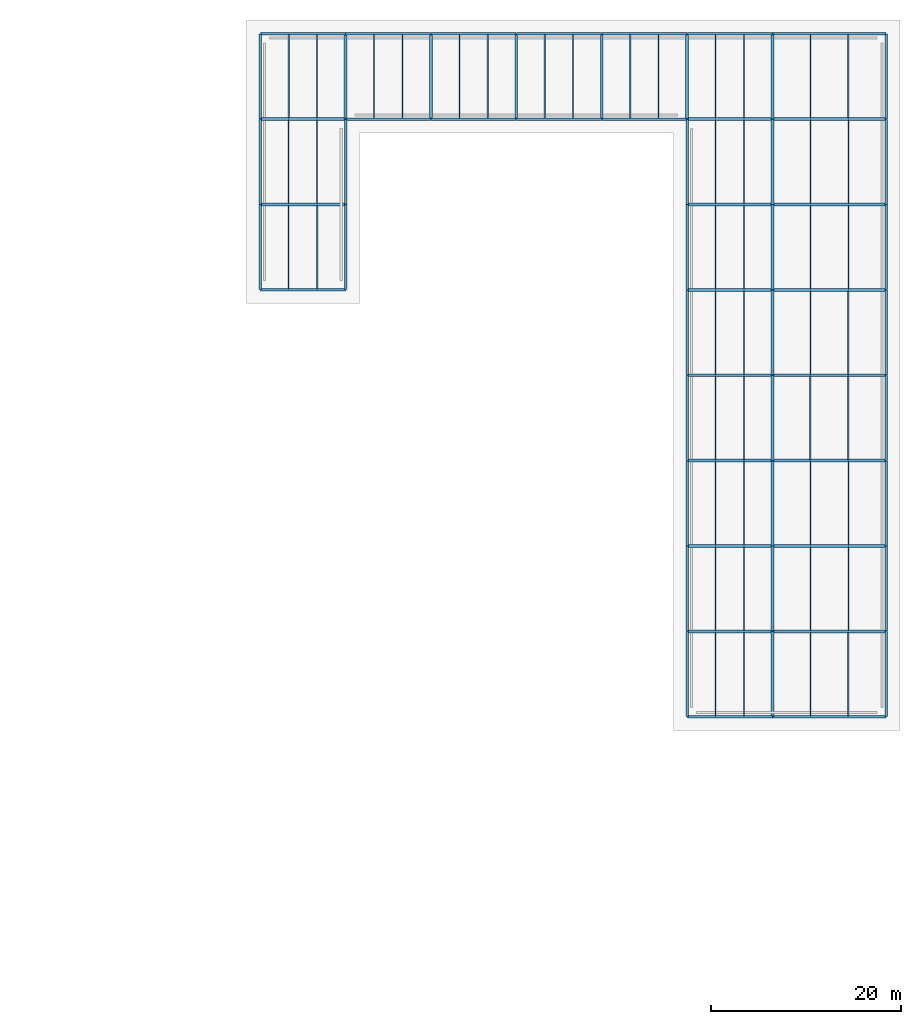
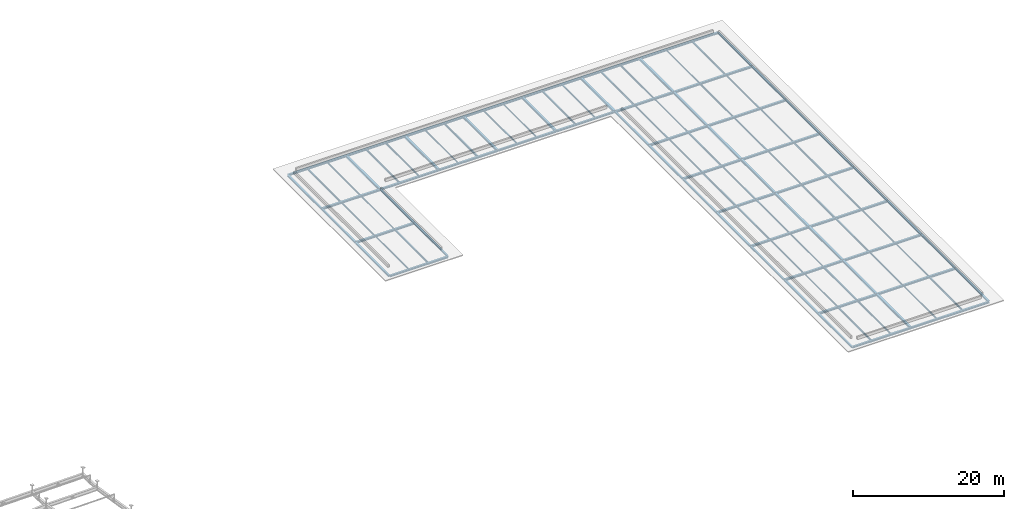
# One storey, part 65 of 80: 109 beams.
"""IFC4 building model written with IfcOpenShell, lengths in metres."""

from ifc_helpers import new_model, si_unit, direction, frame, origin, origin_2d, place, context, subcontext, project, spatial, i_section, extrude, material, material_profile, profile_set, type_object, element, save


model = new_model("IFC4")

# Units and contexts
model_context = context("Model", 3, precision=1e-05, world=origin(), true_north=direction((0.0, 1.0)))
body_context = subcontext(model_context, "Body", "Model", "MODEL_VIEW")
ifc_project = project(units=[si_unit("LENGTHUNIT", "METRE"), si_unit("AREAUNIT", "SQUARE_METRE"), si_unit("VOLUMEUNIT", "CUBIC_METRE"), si_unit("PLANEANGLEUNIT", "RADIAN"), si_unit("MASSUNIT", "GRAM", prefix="KILO")], contexts=[model_context])

# Site, building, storey
site_placement = place(None, origin())
site = spatial("IfcSite", under=ifc_project, at=site_placement, CompositionType="ELEMENT")
building_placement = place(site_placement, origin())
building = spatial("IfcBuilding", under=site, at=building_placement, Name="Barlavento Convention Centre", CompositionType="ELEMENT")
storey_placement = place(building_placement, frame((0.0, 0.0, 29.800048828125)))
storey = spatial("IfcBuildingStorey", under=building, at=storey_placement, Name="RF", CompositionType="ELEMENT", Elevation=29.800048828125)

# Beams
ifc_material = material(Name="Steel S355", Category="steel")
ifc_material_profile_1 = material_profile(ifc_material, i_section(OverallWidth=0.110107421875, OverallDepth=0.219970703125, WebThickness=0.005859375, FlangeThickness=0.00927734375, FilletRadius=0.011962890625, at=origin_2d()), Name="IPE 220")
ifc_profile_set_1 = profile_set([ifc_material_profile_1], Name="Steel S355")
beam_type_1 = type_object("IfcBeamType", Name="STR-BM-JST-IPE220", PredefinedType="JOIST", material=ifc_profile_set_1)
for number, where, z_axis, x_axis, name in (
    (1, (184.0, 27.094970703125, -0.47509765625), (0.0, 1.0, 0.0), (-1.0, 0.0, 0.0), "RF composite floor joist SJ10"),
    (2, (174.0, 36.094970703125, -0.47509765625), (0.0, 1.0, 0.0), (-1.0, 0.0, 0.0), "RF composite floor joist SJ10"),
    (3, (188.0, 36.094970703125, -0.47509765625), (0.0, 1.0, 0.0), (-1.0, 0.0, 0.0), "RF composite floor joist SJ10"),
    (4, (177.0, 45.094970703125, -0.47509765625), (0.0, 1.0, 0.0), (-1.0, 0.0, 0.0), "RF composite floor joist SJ10"),
    (5, (184.0, 63.094970703125, -0.47509765625), (0.0, 1.0, 0.0), (-1.0, 0.0, 0.0), "RF composite floor joist SJ10"),
    (6, (129.0, 72.094970703125, -0.47509765625), (0.0, 1.0, 0.0), (-1.0, 0.0, 0.0), "RF composite floor joist SJ10"),
    (7, (174.0, 72.094970703125, -0.47509765625), (0.0, 1.0, 0.0), (-1.0, 0.0, 0.0), "RF composite floor joist SJ10"),
    (8, (188.0, 72.094970703125, -0.47509765625), (0.0, 1.0, 0.0), (-1.0, 0.0, 0.0), "RF composite floor joist SJ10"),
    (9, (132.0, 81.094970703125, -0.47509765625), (0.0, 1.0, 0.0), (-1.0, 0.0, 0.0), "RF composite floor joist SJ10"),
    (10, (177.0, 81.094970703125, -0.47509765625), (0.0, 1.0, 0.0), (-1.0, 0.0, 0.0), "RF composite floor joist SJ10"),
    (11, (147.0, 90.094970703125, -0.47509765625), (0.0, 1.0, 0.0), (-1.0, 0.0, 0.0), "RF composite floor joist SJ10"),
    (12, (159.0, 90.094970703125, -0.47509765625), (0.0, 1.0, 0.0), (-1.0, 0.0, 0.0), "RF composite floor joist SJ10"),
    (13, (184.0, 90.094970703125, -0.47509765625), (0.0, 1.0, 0.0), (-1.0, 0.0, 0.0), "RF composite floor joist SJ10"),
):
    element("IfcBeam", number, at=place(storey_placement, frame(where, z_axis=z_axis, x_axis=x_axis)), inside=storey, type_object=beam_type_1, Name=name, PredefinedType="JOIST", context=body_context, shape_type="SweptSolid", body=[
        extrude(i_section(OverallWidth=0.110107421875, OverallDepth=0.219970703125, WebThickness=0.005859375, FlangeThickness=0.00927734375, FilletRadius=0.011962890625, at=origin_2d()), origin(), (0.0, 0.0, 1.0), 8.81005859375),
    ])
ifc_material_profile_2 = material_profile(ifc_material, i_section(OverallWidth=0.1201171875, OverallDepth=0.239990234375, WebThickness=0.006103515625, FlangeThickness=0.009765625, FilletRadius=0.014892578125, at=origin_2d()), Name="IPE 240")
ifc_profile_set_2 = profile_set([ifc_material_profile_2], Name="Steel S355")
beam_type_2 = type_object("IfcBeamType", Name="STR-BM-JST-IPE240", PredefinedType="JOIST", material=ifc_profile_set_2)
for number, where, z_axis, x_axis, name in (
    (14, (184.0, 36.094970703125, -0.485107421875), (0.0, 1.0, 0.0), (-1.0, 0.0, 0.0), "RF composite floor joist SJ09"),
    (15, (174.0, 45.094970703125, -0.485107421875), (0.0, 1.0, 0.0), (-1.0, 0.0, 0.0), "RF composite floor joist SJ09"),
    (16, (188.0, 45.094970703125, -0.485107421875), (0.0, 1.0, 0.0), (-1.0, 0.0, 0.0), "RF composite floor joist SJ09"),
    (17, (177.0, 54.094970703125, -0.485107421875), (0.0, 1.0, 0.0), (-1.0, 0.0, 0.0), "RF composite floor joist SJ09"),
    (18, (184.0, 72.094970703125, -0.485107421875), (0.0, 1.0, 0.0), (-1.0, 0.0, 0.0), "RF composite floor joist SJ09"),
    (19, (129.0, 81.094970703125, -0.485107421875), (0.0, 1.0, 0.0), (-1.0, 0.0, 0.0), "RF composite floor joist SJ09"),
    (20, (174.0, 81.094970703125, -0.485107421875), (0.0, 1.0, 0.0), (-1.0, 0.0, 0.0), "RF composite floor joist SJ09"),
    (21, (188.0, 81.094970703125, -0.485107421875), (0.0, 1.0, 0.0), (-1.0, 0.0, 0.0), "RF composite floor joist SJ09"),
    (22, (132.0, 90.094970703125, -0.485107421875), (0.0, 1.0, 0.0), (-1.0, 0.0, 0.0), "RF composite floor joist SJ09"),
    (23, (156.0, 90.094970703125, -0.485107421875), (0.0, 1.0, 0.0), (-1.0, 0.0, 0.0), "RF composite floor joist SJ09"),
    (24, (168.0, 90.094970703125, -0.485107421875), (0.0, 1.0, 0.0), (-1.0, 0.0, 0.0), "RF composite floor joist SJ09"),
):
    element("IfcBeam", number, at=place(storey_placement, frame(where, z_axis=z_axis, x_axis=x_axis)), inside=storey, type_object=beam_type_2, Name=name, PredefinedType="JOIST", context=body_context, shape_type="SweptSolid", body=[
        extrude(i_section(OverallWidth=0.1201171875, OverallDepth=0.239990234375, WebThickness=0.006103515625, FlangeThickness=0.009765625, FilletRadius=0.014892578125, at=origin_2d()), origin(), (0.0, 0.0, 1.0), 8.81005859375),
    ])
ifc_material_profile_3 = material_profile(ifc_material, i_section(OverallWidth=0.135009765625, OverallDepth=0.27001953125, WebThickness=0.006591796875, FlangeThickness=0.01025390625, FilletRadius=0.014892578125, at=origin_2d()), Name="IPE 270")
ifc_profile_set_3 = profile_set([ifc_material_profile_3], Name="Steel S355")
beam_type_3 = type_object("IfcBeamType", Name="STR-BM-JST-IPE270", PredefinedType="JOIST", material=ifc_profile_set_3)
for number, where, z_axis, x_axis, name in (
    (25, (177.0, 27.094970703125, -0.5), (0.0, 1.0, 0.0), (-1.0, 0.0, 0.0), "RF composite floor joist SJ08"),
    (26, (184.0, 45.094970703125, -0.5), (0.0, 1.0, 0.0), (-1.0, 0.0, 0.0), "RF composite floor joist SJ08"),
    (27, (174.0, 54.094970703125, -0.5), (0.0, 1.0, 0.0), (-1.0, 0.0, 0.0), "RF composite floor joist SJ08"),
    (28, (188.0, 54.094970703125, -0.5), (0.0, 1.0, 0.0), (-1.0, 0.0, 0.0), "RF composite floor joist SJ08"),
    (29, (177.0, 63.094970703125, -0.5), (0.0, 1.0, 0.0), (-1.0, 0.0, 0.0), "RF composite floor joist SJ08"),
    (30, (184.0, 81.094970703125, -0.5), (0.0, 1.0, 0.0), (-1.0, 0.0, 0.0), "RF composite floor joist SJ08"),
    (31, (129.0, 90.094970703125, -0.5), (0.0, 1.0, 0.0), (-1.0, 0.0, 0.0), "RF composite floor joist SJ08"),
    (32, (141.0, 90.094970703125, -0.5), (0.0, 1.0, 0.0), (-1.0, 0.0, 0.0), "RF composite floor joist SJ08"),
    (33, (165.0, 90.094970703125, -0.5), (0.0, 1.0, 0.0), (-1.0, 0.0, 0.0), "RF composite floor joist SJ08"),
    (34, (177.0, 90.094970703125, -0.5), (0.0, 1.0, 0.0), (-1.0, 0.0, 0.0), "RF composite floor joist SJ08"),
):
    element("IfcBeam", number, at=place(storey_placement, frame(where, z_axis=z_axis, x_axis=x_axis)), inside=storey, type_object=beam_type_3, Name=name, PredefinedType="JOIST", context=body_context, shape_type="SweptSolid", body=[
        extrude(i_section(OverallWidth=0.135009765625, OverallDepth=0.27001953125, WebThickness=0.006591796875, FlangeThickness=0.01025390625, FilletRadius=0.014892578125, at=origin_2d()), origin(), (0.0, 0.0, 1.0), 8.81005859375),
    ])
ifc_material_profile_4 = material_profile(ifc_material, i_section(OverallWidth=0.14990234375, OverallDepth=0.300048828125, WebThickness=0.007080078125, FlangeThickness=0.0107421875, FilletRadius=0.014892578125, at=origin_2d()), Name="IPE 300")
ifc_profile_set_4 = profile_set([ifc_material_profile_4], Name="Steel S355")
beam_type_4 = type_object("IfcBeamType", Name="STR-BM-JST-IPE300", PredefinedType="JOIST", material=ifc_profile_set_4)
for number, where, z_axis, x_axis, name in (
    (35, (174.0, 27.094970703125, -0.51513671875), (0.0, 1.0, 0.0), (-1.0, 0.0, 0.0), "RF composite floor joist SJ07"),
    (36, (188.0, 27.094970703125, -0.51513671875), (0.0, 1.0, 0.0), (-1.0, 0.0, 0.0), "RF composite floor joist SJ07"),
    (37, (177.0, 36.094970703125, -0.51513671875), (0.0, 1.0, 0.0), (-1.0, 0.0, 0.0), "RF composite floor joist SJ07"),
    (38, (184.0, 54.094970703125, -0.51513671875), (0.0, 1.0, 0.0), (-1.0, 0.0, 0.0), "RF composite floor joist SJ07"),
    (39, (174.0, 63.094970703125, -0.51513671875), (0.0, 1.0, 0.0), (-1.0, 0.0, 0.0), "RF composite floor joist SJ07"),
    (40, (188.0, 63.094970703125, -0.51513671875), (0.0, 1.0, 0.0), (-1.0, 0.0, 0.0), "RF composite floor joist SJ07"),
    (41, (132.0, 72.094970703125, -0.51513671875), (0.0, 1.0, 0.0), (-1.0, 0.0, 0.0), "RF composite floor joist SJ07"),
    (42, (177.0, 72.094970703125, -0.51513671875), (0.0, 1.0, 0.0), (-1.0, 0.0, 0.0), "RF composite floor joist SJ07"),
    (43, (138.0, 90.094970703125, -0.51513671875), (0.0, 1.0, 0.0), (-1.0, 0.0, 0.0), "RF composite floor joist SJ07"),
    (44, (150.0, 90.094970703125, -0.51513671875), (0.0, 1.0, 0.0), (-1.0, 0.0, 0.0), "RF composite floor joist SJ07"),
    (45, (174.0, 90.094970703125, -0.51513671875), (0.0, 1.0, 0.0), (-1.0, 0.0, 0.0), "RF composite floor joist SJ07"),
    (46, (188.0, 90.094970703125, -0.51513671875), (0.0, 1.0, 0.0), (-1.0, 0.0, 0.0), "RF composite floor joist SJ07"),
):
    element("IfcBeam", number, at=place(storey_placement, frame(where, z_axis=z_axis, x_axis=x_axis)), inside=storey, type_object=beam_type_4, Name=name, PredefinedType="JOIST", context=body_context, shape_type="SweptSolid", body=[
        extrude(i_section(OverallWidth=0.14990234375, OverallDepth=0.300048828125, WebThickness=0.007080078125, FlangeThickness=0.0107421875, FilletRadius=0.014892578125, at=origin_2d()), origin(), (0.0, 0.0, 1.0), 8.81005859375),
    ])
ifc_material_profile_5 = material_profile(ifc_material, i_section(OverallWidth=0.300048828125, OverallDepth=0.330078125, WebThickness=0.009521484375, FlangeThickness=0.0166015625, FilletRadius=0.027099609375, at=origin_2d()), Name="HEA 340")
ifc_profile_set_5 = profile_set([ifc_material_profile_5], Name="Steel S355")
beam_type_5 = type_object("IfcBeamType", Name="STR-BM-PRI-HEA340", PredefinedType="BEAM", material=ifc_profile_set_5)
for number, where, z_axis, x_axis, name in (
    (47, (180.0, 27.02001953125, -0.530029296875), (0.0, 1.0, 0.0), (-1.0, 0.0, 0.0), "RF grid girder BG24"),
    (48, (180.0, 36.02001953125, -0.530029296875), (0.0, 1.0, 0.0), (-1.0, 0.0, 0.0), "RF grid girder BG24"),
    (49, (180.0, 45.02001953125, -0.530029296875), (0.0, 1.0, 0.0), (-1.0, 0.0, 0.0), "RF grid girder BG24"),
    (50, (180.0, 54.02001953125, -0.530029296875), (0.0, 1.0, 0.0), (-1.0, 0.0, 0.0), "RF grid girder BG24"),
    (51, (180.0, 63.02001953125, -0.530029296875), (0.0, 1.0, 0.0), (-1.0, 0.0, 0.0), "RF grid girder BG24"),
    (52, (180.0, 72.02001953125, -0.530029296875), (0.0, 1.0, 0.0), (-1.0, 0.0, 0.0), "RF grid girder BG24"),
    (53, (180.0, 81.02001953125, -0.530029296875), (0.0, 1.0, 0.0), (-1.0, 0.0, 0.0), "RF grid girder BG24"),
    (54, (135.0, 90.02001953125, -0.530029296875), (0.0, 1.0, 0.0), (-1.0, 0.0, 0.0), "RF grid girder BG24"),
    (55, (144.0, 90.02001953125, -0.530029296875), (0.0, 1.0, 0.0), (-1.0, 0.0, 0.0), "RF grid girder BG24"),
    (56, (153.0, 90.02001953125, -0.530029296875), (0.0, 1.0, 0.0), (-1.0, 0.0, 0.0), "RF grid girder BG24"),
    (57, (162.0, 90.02001953125, -0.530029296875), (0.0, 1.0, 0.0), (-1.0, 0.0, 0.0), "RF grid girder BG24"),
    (58, (171.0, 90.02001953125, -0.530029296875), (0.0, 1.0, 0.0), (-1.0, 0.0, 0.0), "RF grid girder BG24"),
    (59, (180.0, 90.02001953125, -0.530029296875), (0.0, 1.0, 0.0), (-1.0, 0.0, 0.0), "RF grid girder BG24"),
):
    element("IfcBeam", number, at=place(storey_placement, frame(where, z_axis=z_axis, x_axis=x_axis)), inside=storey, type_object=beam_type_5, Name=name, PredefinedType="BEAM", context=body_context, shape_type="SweptSolid", body=[
        extrude(i_section(OverallWidth=0.300048828125, OverallDepth=0.330078125, WebThickness=0.009521484375, FlangeThickness=0.0166015625, FilletRadius=0.027099609375, at=origin_2d()), origin(), (0.0, 0.0, 1.0), 8.9599609375),
    ])
ifc_material_profile_6 = material_profile(ifc_material, i_section(OverallWidth=0.300048828125, OverallDepth=0.300048828125, WebThickness=0.010986328125, FlangeThickness=0.01904296875, FilletRadius=0.027099609375, at=origin_2d()), Name="HEB 300")
ifc_profile_set_6 = profile_set([ifc_material_profile_6], Name="Steel S355")
beam_type_6 = type_object("IfcBeamType", Name="STR-BM-PRI-HEB300", PredefinedType="BEAM", material=ifc_profile_set_6)
beam_1_placement = place(storey_placement, frame((171.02001953125, 36.0, -0.51513671875), z_axis=(1.0, 0.0, 0.0), x_axis=(0.0, 1.0, 0.0)))
element("IfcBeam", 60, at=beam_1_placement, inside=storey, type_object=beam_type_6, Name="RF primary girder BG14", PredefinedType="BEAM", context=body_context, shape_type="SweptSolid", body=[
    extrude(i_section(OverallWidth=0.300048828125, OverallDepth=0.300048828125, WebThickness=0.010986328125, FlangeThickness=0.01904296875, FilletRadius=0.027099609375, at=origin_2d()), origin(), (0.0, 0.0, 1.0), 8.9599609375),
])
beam_2_placement = place(storey_placement, frame((180.02001953125, 36.0, -0.51513671875), z_axis=(1.0, 0.0, 0.0), x_axis=(0.0, 1.0, 0.0)))
element("IfcBeam", 61, at=beam_2_placement, inside=storey, type_object=beam_type_6, Name="RF primary girder BG14", PredefinedType="BEAM", context=body_context, shape_type="SweptSolid", body=[
    extrude(i_section(OverallWidth=0.300048828125, OverallDepth=0.300048828125, WebThickness=0.010986328125, FlangeThickness=0.01904296875, FilletRadius=0.027099609375, at=origin_2d()), origin(), (0.0, 0.0, 1.0), 11.9599609375),
])
beam_3_placement = place(storey_placement, frame((171.02001953125, 45.0, -0.51513671875), z_axis=(1.0, 0.0, 0.0), x_axis=(0.0, 1.0, 0.0)))
element("IfcBeam", 62, at=beam_3_placement, inside=storey, type_object=beam_type_6, Name="RF primary girder BG14", PredefinedType="BEAM", context=body_context, shape_type="SweptSolid", body=[
    extrude(i_section(OverallWidth=0.300048828125, OverallDepth=0.300048828125, WebThickness=0.010986328125, FlangeThickness=0.01904296875, FilletRadius=0.027099609375, at=origin_2d()), origin(), (0.0, 0.0, 1.0), 8.9599609375),
])
beam_4_placement = place(storey_placement, frame((180.02001953125, 45.0, -0.51513671875), z_axis=(1.0, 0.0, 0.0), x_axis=(0.0, 1.0, 0.0)))
element("IfcBeam", 63, at=beam_4_placement, inside=storey, type_object=beam_type_6, Name="RF primary girder BG14", PredefinedType="BEAM", context=body_context, shape_type="SweptSolid", body=[
    extrude(i_section(OverallWidth=0.300048828125, OverallDepth=0.300048828125, WebThickness=0.010986328125, FlangeThickness=0.01904296875, FilletRadius=0.027099609375, at=origin_2d()), origin(), (0.0, 0.0, 1.0), 11.9599609375),
])
beam_5_placement = place(storey_placement, frame((171.02001953125, 54.0, -0.51513671875), z_axis=(1.0, 0.0, 0.0), x_axis=(0.0, 1.0, 0.0)))
element("IfcBeam", 64, at=beam_5_placement, inside=storey, type_object=beam_type_6, Name="RF primary girder BG14", PredefinedType="BEAM", context=body_context, shape_type="SweptSolid", body=[
    extrude(i_section(OverallWidth=0.300048828125, OverallDepth=0.300048828125, WebThickness=0.010986328125, FlangeThickness=0.01904296875, FilletRadius=0.027099609375, at=origin_2d()), origin(), (0.0, 0.0, 1.0), 8.9599609375),
])
beam_6_placement = place(storey_placement, frame((180.02001953125, 54.0, -0.51513671875), z_axis=(1.0, 0.0, 0.0), x_axis=(0.0, 1.0, 0.0)))
element("IfcBeam", 65, at=beam_6_placement, inside=storey, type_object=beam_type_6, Name="RF primary girder BG14", PredefinedType="BEAM", context=body_context, shape_type="SweptSolid", body=[
    extrude(i_section(OverallWidth=0.300048828125, OverallDepth=0.300048828125, WebThickness=0.010986328125, FlangeThickness=0.01904296875, FilletRadius=0.027099609375, at=origin_2d()), origin(), (0.0, 0.0, 1.0), 11.9599609375),
])
beam_7_placement = place(storey_placement, frame((171.02001953125, 63.0, -0.51513671875), z_axis=(1.0, 0.0, 0.0), x_axis=(0.0, 1.0, 0.0)))
element("IfcBeam", 66, at=beam_7_placement, inside=storey, type_object=beam_type_6, Name="RF primary girder BG14", PredefinedType="BEAM", context=body_context, shape_type="SweptSolid", body=[
    extrude(i_section(OverallWidth=0.300048828125, OverallDepth=0.300048828125, WebThickness=0.010986328125, FlangeThickness=0.01904296875, FilletRadius=0.027099609375, at=origin_2d()), origin(), (0.0, 0.0, 1.0), 8.9599609375),
])
beam_8_placement = place(storey_placement, frame((180.02001953125, 63.0, -0.51513671875), z_axis=(1.0, 0.0, 0.0), x_axis=(0.0, 1.0, 0.0)))
element("IfcBeam", 67, at=beam_8_placement, inside=storey, type_object=beam_type_6, Name="RF primary girder BG14", PredefinedType="BEAM", context=body_context, shape_type="SweptSolid", body=[
    extrude(i_section(OverallWidth=0.300048828125, OverallDepth=0.300048828125, WebThickness=0.010986328125, FlangeThickness=0.01904296875, FilletRadius=0.027099609375, at=origin_2d()), origin(), (0.0, 0.0, 1.0), 11.9599609375),
])
beam_9_placement = place(storey_placement, frame((171.02001953125, 72.0, -0.51513671875), z_axis=(1.0, 0.0, 0.0), x_axis=(0.0, 1.0, 0.0)))
element("IfcBeam", 68, at=beam_9_placement, inside=storey, type_object=beam_type_6, Name="RF primary girder BG14", PredefinedType="BEAM", context=body_context, shape_type="SweptSolid", body=[
    extrude(i_section(OverallWidth=0.300048828125, OverallDepth=0.300048828125, WebThickness=0.010986328125, FlangeThickness=0.01904296875, FilletRadius=0.027099609375, at=origin_2d()), origin(), (0.0, 0.0, 1.0), 8.9599609375),
])
beam_10_placement = place(storey_placement, frame((180.02001953125, 72.0, -0.51513671875), z_axis=(1.0, 0.0, 0.0), x_axis=(0.0, 1.0, 0.0)))
element("IfcBeam", 69, at=beam_10_placement, inside=storey, type_object=beam_type_6, Name="RF primary girder BG14", PredefinedType="BEAM", context=body_context, shape_type="SweptSolid", body=[
    extrude(i_section(OverallWidth=0.300048828125, OverallDepth=0.300048828125, WebThickness=0.010986328125, FlangeThickness=0.01904296875, FilletRadius=0.027099609375, at=origin_2d()), origin(), (0.0, 0.0, 1.0), 11.9599609375),
])
for number, where, z_axis, x_axis, name in (
    (70, (126.02001953125, 81.0, -0.51513671875), (1.0, 0.0, 0.0), (0.0, 1.0, 0.0), "RF primary girder BG14"),
    (71, (171.02001953125, 81.0, -0.51513671875), (1.0, 0.0, 0.0), (0.0, 1.0, 0.0), "RF primary girder BG14"),
):
    element("IfcBeam", number, at=place(storey_placement, frame(where, z_axis=z_axis, x_axis=x_axis)), inside=storey, type_object=beam_type_6, Name=name, PredefinedType="BEAM", context=body_context, shape_type="SweptSolid", body=[
        extrude(i_section(OverallWidth=0.300048828125, OverallDepth=0.300048828125, WebThickness=0.010986328125, FlangeThickness=0.01904296875, FilletRadius=0.027099609375, at=origin_2d()), origin(), (0.0, 0.0, 1.0), 8.9599609375),
    ])
beam_11_placement = place(storey_placement, frame((180.02001953125, 81.0, -0.51513671875), z_axis=(1.0, 0.0, 0.0), x_axis=(0.0, 1.0, 0.0)))
element("IfcBeam", 72, at=beam_11_placement, inside=storey, type_object=beam_type_6, Name="RF primary girder BG14", PredefinedType="BEAM", context=body_context, shape_type="SweptSolid", body=[
    extrude(i_section(OverallWidth=0.300048828125, OverallDepth=0.300048828125, WebThickness=0.010986328125, FlangeThickness=0.01904296875, FilletRadius=0.027099609375, at=origin_2d()), origin(), (0.0, 0.0, 1.0), 11.9599609375),
])
for number, where, z_axis, x_axis, name in (
    (73, (126.02001953125, 90.0, -0.51513671875), (1.0, 0.0, 0.0), (0.0, 1.0, 0.0), "RF primary girder BG14"),
    (74, (171.02001953125, 90.0, -0.51513671875), (1.0, 0.0, 0.0), (0.0, 1.0, 0.0), "RF primary girder BG14"),
):
    element("IfcBeam", number, at=place(storey_placement, frame(where, z_axis=z_axis, x_axis=x_axis)), inside=storey, type_object=beam_type_6, Name=name, PredefinedType="BEAM", context=body_context, shape_type="SweptSolid", body=[
        extrude(i_section(OverallWidth=0.300048828125, OverallDepth=0.300048828125, WebThickness=0.010986328125, FlangeThickness=0.01904296875, FilletRadius=0.027099609375, at=origin_2d()), origin(), (0.0, 0.0, 1.0), 8.9599609375),
    ])
beam_12_placement = place(storey_placement, frame((180.02001953125, 90.0, -0.51513671875), z_axis=(1.0, 0.0, 0.0), x_axis=(0.0, 1.0, 0.0)))
element("IfcBeam", 75, at=beam_12_placement, inside=storey, type_object=beam_type_6, Name="RF primary girder BG14", PredefinedType="BEAM", context=body_context, shape_type="SweptSolid", body=[
    extrude(i_section(OverallWidth=0.300048828125, OverallDepth=0.300048828125, WebThickness=0.010986328125, FlangeThickness=0.01904296875, FilletRadius=0.027099609375, at=origin_2d()), origin(), (0.0, 0.0, 1.0), 11.9599609375),
])
ifc_material_profile_7 = material_profile(ifc_material, i_section(OverallWidth=0.260009765625, OverallDepth=0.25, WebThickness=0.007568359375, FlangeThickness=0.012451171875, FilletRadius=0.02392578125, at=origin_2d()), Name="HEA 260")
ifc_profile_set_7 = profile_set([ifc_material_profile_7], Name="Steel S355")
beam_type_7 = type_object("IfcBeamType", Name="STR-BM-SPN-HEA260", PredefinedType="SPANDREL", material=ifc_profile_set_7)
for number, where, z_axis, x_axis, name in (
    (76, (171.0, 27.02001953125, -0.489990234375), (0.0, 1.0, 0.0), (-1.0, 0.0, 0.0), "RF grid girder SP04"),
    (77, (192.0, 27.02001953125, -0.489990234375), (0.0, 1.0, 0.0), (-1.0, 0.0, 0.0), "RF grid girder SP04"),
    (78, (171.0, 36.02001953125, -0.489990234375), (0.0, 1.0, 0.0), (-1.0, 0.0, 0.0), "RF grid girder SP04"),
    (79, (192.0, 36.02001953125, -0.489990234375), (0.0, 1.0, 0.0), (-1.0, 0.0, 0.0), "RF grid girder SP04"),
    (80, (171.0, 45.02001953125, -0.489990234375), (0.0, 1.0, 0.0), (-1.0, 0.0, 0.0), "RF grid girder SP04"),
    (81, (192.0, 45.02001953125, -0.489990234375), (0.0, 1.0, 0.0), (-1.0, 0.0, 0.0), "RF grid girder SP04"),
    (82, (171.0, 54.02001953125, -0.489990234375), (0.0, 1.0, 0.0), (-1.0, 0.0, 0.0), "RF grid girder SP04"),
    (83, (192.0, 54.02001953125, -0.489990234375), (0.0, 1.0, 0.0), (-1.0, 0.0, 0.0), "RF grid girder SP04"),
    (84, (171.0, 63.02001953125, -0.489990234375), (0.0, 1.0, 0.0), (-1.0, 0.0, 0.0), "RF grid girder SP04"),
    (85, (192.0, 63.02001953125, -0.489990234375), (0.0, 1.0, 0.0), (-1.0, 0.0, 0.0), "RF grid girder SP04"),
    (86, (126.0, 72.02001953125, -0.489990234375), (0.0, 1.0, 0.0), (-1.0, 0.0, 0.0), "RF grid girder SP04"),
    (87, (135.0, 72.02001953125, -0.489990234375), (0.0, 1.0, 0.0), (-1.0, 0.0, 0.0), "RF grid girder SP04"),
    (88, (171.0, 72.02001953125, -0.489990234375), (0.0, 1.0, 0.0), (-1.0, 0.0, 0.0), "RF grid girder SP04"),
    (89, (192.0, 72.02001953125, -0.489990234375), (0.0, 1.0, 0.0), (-1.0, 0.0, 0.0), "RF grid girder SP04"),
    (90, (126.0, 81.02001953125, -0.489990234375), (0.0, 1.0, 0.0), (-1.0, 0.0, 0.0), "RF grid girder SP04"),
    (91, (135.0, 81.02001953125, -0.489990234375), (0.0, 1.0, 0.0), (-1.0, 0.0, 0.0), "RF grid girder SP04"),
    (92, (171.0, 81.02001953125, -0.489990234375), (0.0, 1.0, 0.0), (-1.0, 0.0, 0.0), "RF grid girder SP04"),
    (93, (192.0, 81.02001953125, -0.489990234375), (0.0, 1.0, 0.0), (-1.0, 0.0, 0.0), "RF grid girder SP04"),
    (94, (126.0, 90.02001953125, -0.489990234375), (0.0, 1.0, 0.0), (-1.0, 0.0, 0.0), "RF grid girder SP04"),
    (95, (192.0, 90.02001953125, -0.489990234375), (0.0, 1.0, 0.0), (-1.0, 0.0, 0.0), "RF grid girder SP04"),
):
    element("IfcBeam", number, at=place(storey_placement, frame(where, z_axis=z_axis, x_axis=x_axis)), inside=storey, type_object=beam_type_7, Name=name, PredefinedType="SPANDREL", context=body_context, shape_type="SweptSolid", body=[
        extrude(i_section(OverallWidth=0.260009765625, OverallDepth=0.25, WebThickness=0.007568359375, FlangeThickness=0.012451171875, FilletRadius=0.02392578125, at=origin_2d()), origin(), (0.0, 0.0, 1.0), 8.9599609375),
    ])
ifc_material_profile_8 = material_profile(ifc_material, i_section(OverallWidth=0.280029296875, OverallDepth=0.27001953125, WebThickness=0.008056640625, FlangeThickness=0.012939453125, FilletRadius=0.02392578125, at=origin_2d()), Name="HEA 280")
ifc_profile_set_8 = profile_set([ifc_material_profile_8], Name="Steel S355")
beam_type_8 = type_object("IfcBeamType", Name="STR-BM-SPN-HEA280", PredefinedType="SPANDREL", material=ifc_profile_set_8)
beam_13_placement = place(storey_placement, frame((171.02001953125, 27.0, -0.5), z_axis=(1.0, 0.0, 0.0), x_axis=(0.0, 1.0, 0.0)))
element("IfcBeam", 96, at=beam_13_placement, inside=storey, type_object=beam_type_8, Name="RF primary girder SP03", PredefinedType="SPANDREL", context=body_context, shape_type="SweptSolid", body=[
    extrude(i_section(OverallWidth=0.280029296875, OverallDepth=0.27001953125, WebThickness=0.008056640625, FlangeThickness=0.012939453125, FilletRadius=0.02392578125, at=origin_2d()), origin(), (0.0, 0.0, 1.0), 8.9599609375),
])
beam_14_placement = place(storey_placement, frame((180.02001953125, 27.0, -0.5), z_axis=(1.0, 0.0, 0.0), x_axis=(0.0, 1.0, 0.0)))
element("IfcBeam", 97, at=beam_14_placement, inside=storey, type_object=beam_type_8, Name="RF primary girder SP03", PredefinedType="SPANDREL", context=body_context, shape_type="SweptSolid", body=[
    extrude(i_section(OverallWidth=0.280029296875, OverallDepth=0.27001953125, WebThickness=0.008056640625, FlangeThickness=0.012939453125, FilletRadius=0.02392578125, at=origin_2d()), origin(), (0.0, 0.0, 1.0), 11.9599609375),
])
for number, where, z_axis, x_axis, name in (
    (98, (126.02001953125, 72.0, -0.5), (1.0, 0.0, 0.0), (0.0, 1.0, 0.0), "RF primary girder SP03"),
    (99, (135.02001953125, 90.0, -0.5), (1.0, 0.0, 0.0), (0.0, 1.0, 0.0), "RF primary girder SP03"),
    (100, (144.02001953125, 90.0, -0.5), (1.0, 0.0, 0.0), (0.0, 1.0, 0.0), "RF primary girder SP03"),
    (101, (153.02001953125, 90.0, -0.5), (1.0, 0.0, 0.0), (0.0, 1.0, 0.0), "RF primary girder SP03"),
    (102, (162.02001953125, 90.0, -0.5), (1.0, 0.0, 0.0), (0.0, 1.0, 0.0), "RF primary girder SP03"),
    (103, (126.02001953125, 99.0, -0.5), (1.0, 0.0, 0.0), (0.0, 1.0, 0.0), "RF primary girder SP03"),
    (104, (135.02001953125, 99.0, -0.5), (1.0, 0.0, 0.0), (0.0, 1.0, 0.0), "RF primary girder SP03"),
    (105, (144.02001953125, 99.0, -0.5), (1.0, 0.0, 0.0), (0.0, 1.0, 0.0), "RF primary girder SP03"),
    (106, (153.02001953125, 99.0, -0.5), (1.0, 0.0, 0.0), (0.0, 1.0, 0.0), "RF primary girder SP03"),
    (107, (162.02001953125, 99.0, -0.5), (1.0, 0.0, 0.0), (0.0, 1.0, 0.0), "RF primary girder SP03"),
    (108, (171.02001953125, 99.0, -0.5), (1.0, 0.0, 0.0), (0.0, 1.0, 0.0), "RF primary girder SP03"),
):
    element("IfcBeam", number, at=place(storey_placement, frame(where, z_axis=z_axis, x_axis=x_axis)), inside=storey, type_object=beam_type_8, Name=name, PredefinedType="SPANDREL", context=body_context, shape_type="SweptSolid", body=[
        extrude(i_section(OverallWidth=0.280029296875, OverallDepth=0.27001953125, WebThickness=0.008056640625, FlangeThickness=0.012939453125, FilletRadius=0.02392578125, at=origin_2d()), origin(), (0.0, 0.0, 1.0), 8.9599609375),
    ])
beam_15_placement = place(storey_placement, frame((180.02001953125, 99.0, -0.5), z_axis=(1.0, 0.0, 0.0), x_axis=(0.0, 1.0, 0.0)))
element("IfcBeam", 109, at=beam_15_placement, inside=storey, type_object=beam_type_8, Name="RF primary girder SP03", PredefinedType="SPANDREL", context=body_context, shape_type="SweptSolid", body=[
    extrude(i_section(OverallWidth=0.280029296875, OverallDepth=0.27001953125, WebThickness=0.008056640625, FlangeThickness=0.012939453125, FilletRadius=0.02392578125, at=origin_2d()), origin(), (0.0, 0.0, 1.0), 11.9599609375),
])

save(model, "model.ifc")
